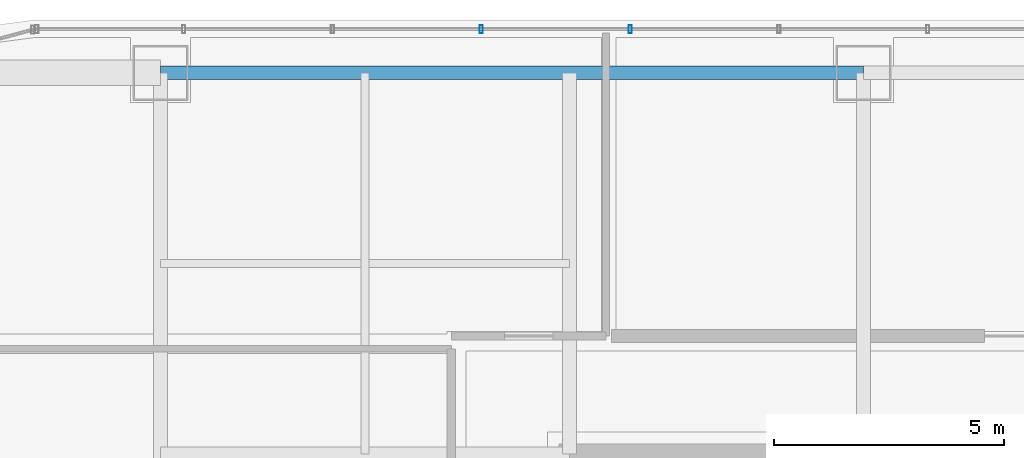
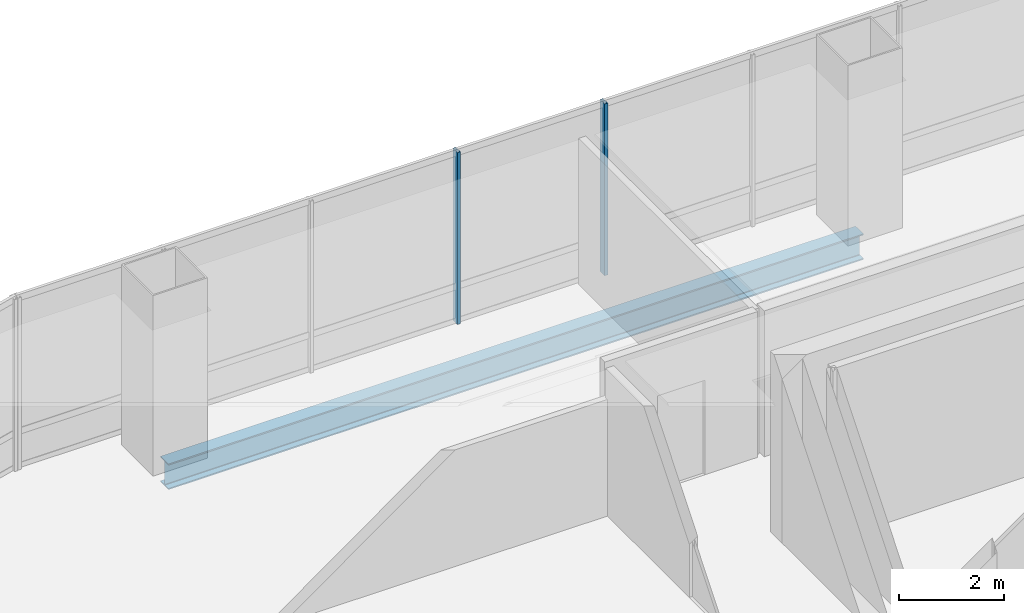
# One storey, part 26 of 42: 2 members, 1 beam, 1 element without a shape of its own.
"""IFC4 building model written with IfcOpenShell, lengths in metres."""

from ifc_helpers import new_model, si_unit, direction, frame, origin, origin_2d, place, context, subcontext, project, spatial, hollow_rectangle, i_section, extrude, material, material_profile, profile_set, type_object, element, aggregate, save


model = new_model("IFC4")

# Units and contexts
model_context = context("Model", 3, precision=1e-05, world=origin(), true_north=direction((0.0, 1.0)))
body_context = subcontext(model_context, "Body", "Model", "MODEL_VIEW")
ifc_project = project(units=[si_unit("LENGTHUNIT", "METRE"), si_unit("AREAUNIT", "SQUARE_METRE"), si_unit("VOLUMEUNIT", "CUBIC_METRE"), si_unit("PLANEANGLEUNIT", "RADIAN"), si_unit("MASSUNIT", "GRAM", prefix="KILO")], contexts=[model_context])

# Site, building, storey
site_placement = place(None, origin())
site = spatial("IfcSite", under=ifc_project, at=site_placement, CompositionType="ELEMENT")
building_placement = place(site_placement, origin())
building = spatial("IfcBuilding", under=site, at=building_placement, Name="Punatoya Terracotta Tower", CompositionType="ELEMENT")
storey_placement = place(building_placement, frame((0.0, 0.0, 325.800048828125)))
storey = spatial("IfcBuildingStorey", under=building, at=storey_placement, Name="L77", CompositionType="ELEMENT", Elevation=325.800048828125)

# Beam
ifc_material_1 = material(Name="Steel S355", Category="steel")
ifc_material_profile_1 = material_profile(ifc_material_1, i_section(OverallWidth=0.300048828125, OverallDepth=0.60009765625, WebThickness=0.015380859375, FlangeThickness=0.030029296875, FilletRadius=0.01806640625, at=origin_2d()))
ifc_profile_set_1 = profile_set([ifc_material_profile_1], Name="Steel S355")
beam_type = type_object("IfcBeamType", Name="BM-PRI-600", PredefinedType="BEAM", material=ifc_profile_set_1)
beam_placement = place(storey_placement, frame((-19.10009765625, 17.5, -0.5), z_axis=(1.0, 0.0, 0.0), x_axis=(0.0, 1.0, 0.0)))
element("IfcBeam", 1, at=beam_placement, inside=storey, type_object=beam_type, Name="BM-L77-RG-N1", PredefinedType="BEAM", context=body_context, shape_type="SweptSolid", body=[
    extrude(i_section(OverallWidth=0.300048828125, OverallDepth=0.60009765625, WebThickness=0.015380859375, FlangeThickness=0.030029296875, FilletRadius=0.01806640625, at=origin_2d()), origin(), (0.0, 0.0, 1.0), 15.300048828125),
])

# Curtain wall, members
ifc_material_2 = material(Name="Aluminium 6063-T6 + Double Low-E Glass", Category="aluminium")
curtain_wall_type = type_object("IfcCurtainWallType", Name="CW-OBS", PredefinedType="NOTDEFINED", material=ifc_material_2)
curtain_wall_placement = place(storey_placement, origin())
curtain_wall = element("IfcCurtainWall", 2, at=curtain_wall_placement, inside=storey, type_object=curtain_wall_type, Name="L77 Curtain Wall CW-L77-N09-1", PredefinedType="NOTDEFINED")
ifc_material_3 = material(Name="Aluminium 6063-T6", Category="aluminium")
ifc_material_profile_2 = material_profile(ifc_material_3, hollow_rectangle(XDim=0.070068359375, YDim=0.179931640625, WallThickness=0.00390625, at=origin_2d()))
ifc_profile_set_2 = profile_set([ifc_material_profile_2], Name="Aluminium 6063-T6")
member_type = type_object("IfcMemberType", Name="CW-MUL-M3", PredefinedType="MULLION", material=ifc_profile_set_2)
member_1_placement = place(storey_placement, frame((-8.87890625, 18.449951171875, 0.0), z_axis=(0.0, 0.0, 1.0), x_axis=(1.0, 0.0, 0.0)))
member_1 = element("IfcMember", 3, at=member_1_placement, type_object=member_type, Name="CW-L77-N09-1 Mullion 08", PredefinedType="MULLION", context=body_context, shape_type="SweptSolid", body=[
    extrude(hollow_rectangle(XDim=0.070068359375, YDim=0.179931640625, WallThickness=0.00390625, at=origin_2d()), origin(), (0.0, 0.0, 1.0), 4.0),
])
member_2_placement = place(storey_placement, frame((-12.118408203125, 18.449951171875, 0.0), z_axis=(0.0, 0.0, 1.0), x_axis=(1.0, 0.0, 0.0)))
member_2 = element("IfcMember", 4, at=member_2_placement, type_object=member_type, Name="CW-L77-N09-1 Mullion 09", PredefinedType="MULLION", context=body_context, shape_type="SweptSolid", body=[
    extrude(hollow_rectangle(XDim=0.070068359375, YDim=0.179931640625, WallThickness=0.00390625, at=origin_2d()), origin(), (0.0, 0.0, 1.0), 4.0),
])
aggregate(curtain_wall, [member_1, member_2])

save(model, "model.ifc")
